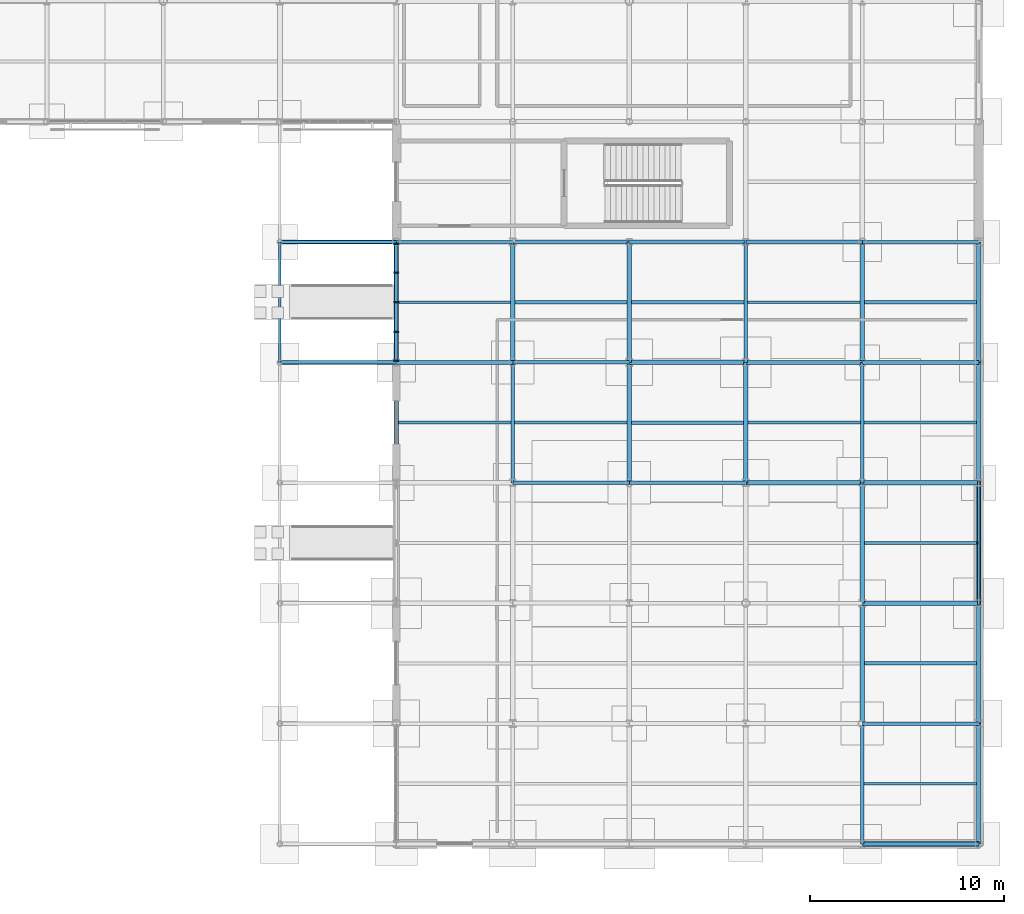
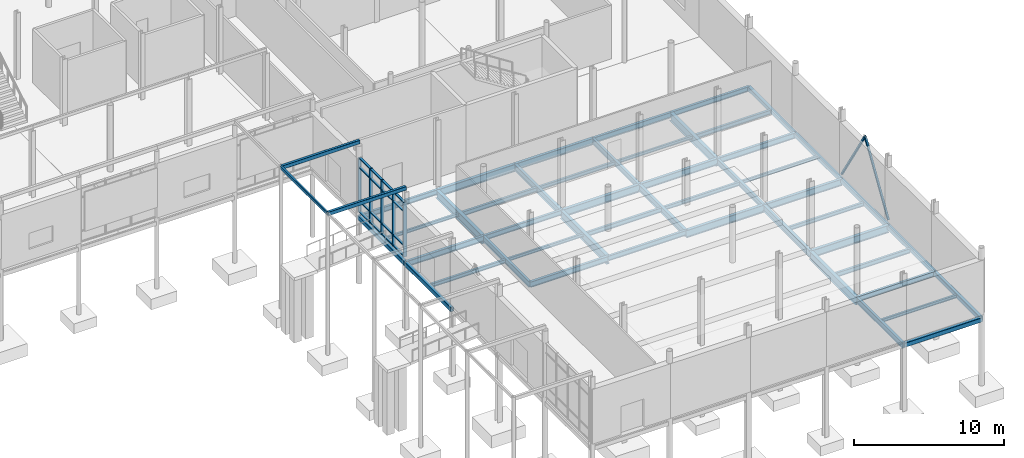
# One storey, part 50 of 98: 51 beams, 23 members, 1 element without a shape of its own.
"""IFC4 building model written with IfcOpenShell, lengths in metres."""

from ifc_helpers import new_model, si_unit, direction, frame, origin, origin_2d, place, context, subcontext, project, spatial, rectangle, hollow_rectangle, i_section, extrude, material, layer, layer_set, material_profile, profile_set, type_object, element, aggregate, save


model = new_model("IFC4")

# Units and contexts
model_context = context("Model", 3, precision=1e-05, world=origin(), true_north=direction((0.0, 1.0)))
body_context = subcontext(model_context, "Body", "Model", "MODEL_VIEW")
ifc_project = project(units=[si_unit("LENGTHUNIT", "METRE"), si_unit("AREAUNIT", "SQUARE_METRE"), si_unit("VOLUMEUNIT", "CUBIC_METRE"), si_unit("PLANEANGLEUNIT", "RADIAN"), si_unit("MASSUNIT", "GRAM", prefix="KILO")], contexts=[model_context])

# Site, building, storey
site_placement = place(None, origin())
site = spatial("IfcSite", under=ifc_project, at=site_placement, CompositionType="ELEMENT")
building_placement = place(site_placement, origin())
building = spatial("IfcBuilding", under=site, at=building_placement, Name="Mirzam Square Science Centre", CompositionType="ELEMENT")
storey_placement = place(building_placement, origin())
storey = spatial("IfcBuildingStorey", under=building, at=storey_placement, Name="L00", CompositionType="ELEMENT", Elevation=0.0)

# Beams
ifc_material_1 = material(Name="Steel S355", Category="steel")
ifc_material_profile_1 = material_profile(ifc_material_1, i_section(OverallWidth=0.1787109375, OverallDepth=0.409423828125, WebThickness=0.0087890625, FlangeThickness=0.014404296875, FilletRadius=0.01025390625, at=origin_2d()), Name="406x178x67UB")
ifc_profile_set_1 = profile_set([ifc_material_profile_1], Name="Steel S355")
beam_type_1 = type_object("IfcBeamType", Name="BM-UB406", PredefinedType="BEAM", material=ifc_profile_set_1)
for number, where, z_axis, x_axis, name in (
    (1, (156.0, 6.199951171875, -0.504638671875), (1.0, 0.0, 0.0), (0.0, 1.0, 0.0), "L00 girder X27-2"),
    (2, (144.0, 18.60009765625, -0.504638671875), (1.0, 0.0, 0.0), (0.0, 1.0, 0.0), "L00 girder X25-4"),
    (3, (138.0, 24.800048828125, -0.504638671875), (1.0, 0.0, 0.0), (0.0, 1.0, 0.0), "L00 girder X24-5"),
    (4, (132.0, 31.0, -0.504638671875), (1.0, 0.0, 0.0), (0.0, 1.0, 0.0), "L00 girder X23-6"),
    (5, (156.0, 31.0, -0.504638671875), (1.0, 0.0, 0.0), (0.0, 1.0, 0.0), "L00 girder X27-6"),
):
    element("IfcBeam", number, at=place(storey_placement, frame(where, z_axis=z_axis, x_axis=x_axis)), inside=storey, type_object=beam_type_1, Name=name, PredefinedType="BEAM", context=body_context, shape_type="SweptSolid", body=[
        extrude(i_section(OverallWidth=0.1787109375, OverallDepth=0.409423828125, WebThickness=0.0087890625, FlangeThickness=0.014404296875, FilletRadius=0.01025390625, at=origin_2d()), origin(), (0.0, 0.0, 1.0), 6.0),
    ])
ifc_material_profile_2 = material_profile(ifc_material_1, i_section(OverallWidth=0.19140625, OverallDepth=0.4599609375, WebThickness=0.010009765625, FlangeThickness=0.01611328125, FilletRadius=0.01025390625, at=origin_2d()), Name="457x191x82UB")
ifc_profile_set_2 = profile_set([ifc_material_profile_2], Name="Steel S355")
beam_type_2 = type_object("IfcBeamType", Name="BM-UB457", PredefinedType="BEAM", material=ifc_profile_set_2)
for number, where, z_axis, x_axis, name in (
    (6, (138.0, 18.60009765625, -0.530029296875), (1.0, 0.0, 0.0), (0.0, 1.0, 0.0), "L00 girder X24-4"),
    (7, (132.0, 24.800048828125, -0.530029296875), (1.0, 0.0, 0.0), (0.0, 1.0, 0.0), "L00 girder X23-5"),
    (8, (156.0, 24.800048828125, -0.530029296875), (1.0, 0.0, 0.0), (0.0, 1.0, 0.0), "L00 girder X27-5"),
    (9, (150.0, 31.0, -0.530029296875), (1.0, 0.0, 0.0), (0.0, 1.0, 0.0), "L00 girder X26-6"),
):
    element("IfcBeam", number, at=place(storey_placement, frame(where, z_axis=z_axis, x_axis=x_axis)), inside=storey, type_object=beam_type_2, Name=name, PredefinedType="BEAM", context=body_context, shape_type="SweptSolid", body=[
        extrude(i_section(OverallWidth=0.19140625, OverallDepth=0.4599609375, WebThickness=0.010009765625, FlangeThickness=0.01611328125, FilletRadius=0.01025390625, at=origin_2d()), origin(), (0.0, 0.0, 1.0), 6.0),
    ])
for number, where, z_axis, x_axis, name in (
    (10, (138.0, 18.60009765625, -0.530029296875), (0.0, 1.0, 0.0), (-1.0, 0.0, 0.0), "L00 girder Y24-4"),
    (11, (150.0, 24.800048828125, -0.530029296875), (0.0, 1.0, 0.0), (-1.0, 0.0, 0.0), "L00 girder Y26-5"),
    (12, (156.0, 0.0, -0.530029296875), (0.0, 1.0, 0.0), (-1.0, 0.0, 0.0), "L00 girder Y27-1"),
    (13, (156.0, 18.60009765625, -0.530029296875), (0.0, 1.0, 0.0), (-1.0, 0.0, 0.0), "L00 girder Y27-4"),
):
    element("IfcBeam", number, at=place(storey_placement, frame(where, z_axis=z_axis, x_axis=x_axis)), inside=storey, type_object=beam_type_2, Name=name, PredefinedType="BEAM", context=body_context, shape_type="SweptSolid", body=[
        extrude(i_section(OverallWidth=0.19140625, OverallDepth=0.4599609375, WebThickness=0.010009765625, FlangeThickness=0.01611328125, FilletRadius=0.01025390625, at=origin_2d()), origin(), (0.0, 0.0, 1.0), 6.199951171875),
    ])
ifc_material_profile_3 = material_profile(ifc_material_1, i_section(OverallWidth=0.2099609375, OverallDepth=0.53662109375, WebThickness=0.0107421875, FlangeThickness=0.017333984375, FilletRadius=0.0126953125, at=origin_2d()), Name="533x210x101UB")
ifc_profile_set_3 = profile_set([ifc_material_profile_3], Name="Steel S355")
beam_type_3 = type_object("IfcBeamType", Name="BM-UB533", PredefinedType="BEAM", material=ifc_profile_set_3)
for number, where, z_axis, x_axis, name in (
    (14, (156.0, 18.60009765625, -0.568359375), (1.0, 0.0, 0.0), (0.0, 1.0, 0.0), "L00 girder X27-4"),
    (15, (150.0, 24.800048828125, -0.568359375), (1.0, 0.0, 0.0), (0.0, 1.0, 0.0), "L00 girder X26-5"),
    (16, (144.0, 31.0, -0.568359375), (1.0, 0.0, 0.0), (0.0, 1.0, 0.0), "L00 girder X25-6"),
):
    element("IfcBeam", number, at=place(storey_placement, frame(where, z_axis=z_axis, x_axis=x_axis)), inside=storey, type_object=beam_type_3, Name=name, PredefinedType="BEAM", context=body_context, shape_type="SweptSolid", body=[
        extrude(i_section(OverallWidth=0.2099609375, OverallDepth=0.53662109375, WebThickness=0.0107421875, FlangeThickness=0.017333984375, FilletRadius=0.0126953125, at=origin_2d()), origin(), (0.0, 0.0, 1.0), 6.0),
    ])
for number, where, z_axis, x_axis, name in (
    (17, (144.0, 24.800048828125, -0.568359375), (0.0, 1.0, 0.0), (-1.0, 0.0, 0.0), "L00 girder Y25-5"),
    (18, (150.0, 18.60009765625, -0.568359375), (0.0, 1.0, 0.0), (-1.0, 0.0, 0.0), "L00 girder Y26-4"),
):
    element("IfcBeam", number, at=place(storey_placement, frame(where, z_axis=z_axis, x_axis=x_axis)), inside=storey, type_object=beam_type_3, Name=name, PredefinedType="BEAM", context=body_context, shape_type="SweptSolid", body=[
        extrude(i_section(OverallWidth=0.2099609375, OverallDepth=0.53662109375, WebThickness=0.0107421875, FlangeThickness=0.017333984375, FilletRadius=0.0126953125, at=origin_2d()), origin(), (0.0, 0.0, 1.0), 6.199951171875),
    ])
beam_1_placement = place(storey_placement, frame((156.0, 12.39990234375, -0.568359375), z_axis=(0.0, 1.0, 0.0), x_axis=(-1.0, 0.0, 0.0)))
element("IfcBeam", 19, at=beam_1_placement, inside=storey, type_object=beam_type_3, Name="L00 girder Y27-3", PredefinedType="BEAM", context=body_context, shape_type="SweptSolid", body=[
    extrude(i_section(OverallWidth=0.2099609375, OverallDepth=0.53662109375, WebThickness=0.0107421875, FlangeThickness=0.017333984375, FilletRadius=0.0126953125, at=origin_2d()), origin(), (0.0, 0.0, 1.0), 6.2001953125),
])
ifc_material_profile_4 = material_profile(ifc_material_1, i_section(OverallWidth=0.22900390625, OverallDepth=0.6123046875, WebThickness=0.011962890625, FlangeThickness=0.01953125, FilletRadius=0.0126953125, at=origin_2d()), Name="610x229x125UB")
ifc_profile_set_4 = profile_set([ifc_material_profile_4], Name="Steel S355")
beam_type_4 = type_object("IfcBeamType", Name="BM-UB610", PredefinedType="BEAM", material=ifc_profile_set_4)
for number, where, z_axis, x_axis, name in (
    (20, (156.0, 12.39990234375, -0.606201171875), (1.0, 0.0, 0.0), (0.0, 1.0, 0.0), "L00 girder X27-3"),
    (21, (150.0, 18.60009765625, -0.606201171875), (1.0, 0.0, 0.0), (0.0, 1.0, 0.0), "L00 girder X26-4"),
    (22, (144.0, 24.800048828125, -0.606201171875), (1.0, 0.0, 0.0), (0.0, 1.0, 0.0), "L00 girder X25-5"),
    (23, (138.0, 31.0, -0.606201171875), (1.0, 0.0, 0.0), (0.0, 1.0, 0.0), "L00 girder X24-6"),
):
    element("IfcBeam", number, at=place(storey_placement, frame(where, z_axis=z_axis, x_axis=x_axis)), inside=storey, type_object=beam_type_4, Name=name, PredefinedType="BEAM", context=body_context, shape_type="SweptSolid", body=[
        extrude(i_section(OverallWidth=0.22900390625, OverallDepth=0.6123046875, WebThickness=0.011962890625, FlangeThickness=0.01953125, FilletRadius=0.0126953125, at=origin_2d()), origin(), (0.0, 0.0, 1.0), 6.0),
    ])
ifc_material_profile_5 = material_profile(ifc_material_1, i_section(OverallWidth=0.25439453125, OverallDepth=0.6875, WebThickness=0.01318359375, FlangeThickness=0.02099609375, FilletRadius=0.01513671875, at=origin_2d()), Name="686x254x152UB")
ifc_profile_set_5 = profile_set([ifc_material_profile_5], Name="Steel S355")
beam_type_5 = type_object("IfcBeamType", Name="BM-UB686", PredefinedType="BEAM", material=ifc_profile_set_5)
for number, where, z_axis, x_axis, name in (
    (24, (138.0, 24.800048828125, -0.643798828125), (0.0, 1.0, 0.0), (-1.0, 0.0, 0.0), "L00 girder Y24-5"),
    (25, (144.0, 18.60009765625, -0.643798828125), (0.0, 1.0, 0.0), (-1.0, 0.0, 0.0), "L00 girder Y25-4"),
    (26, (156.0, 6.199951171875, -0.643798828125), (0.0, 1.0, 0.0), (-1.0, 0.0, 0.0), "L00 girder Y27-2"),
    (27, (156.0, 24.800048828125, -0.643798828125), (0.0, 1.0, 0.0), (-1.0, 0.0, 0.0), "L00 girder Y27-5"),
):
    element("IfcBeam", number, at=place(storey_placement, frame(where, z_axis=z_axis, x_axis=x_axis)), inside=storey, type_object=beam_type_5, Name=name, PredefinedType="BEAM", context=body_context, shape_type="SweptSolid", body=[
        extrude(i_section(OverallWidth=0.25439453125, OverallDepth=0.6875, WebThickness=0.01318359375, FlangeThickness=0.02099609375, FilletRadius=0.01513671875, at=origin_2d()), origin(), (0.0, 0.0, 1.0), 6.199951171875),
    ])

# Members
ifc_material_profile_6 = material_profile(ifc_material_1, hollow_rectangle(XDim=0.14990234375, YDim=0.14990234375, WallThickness=0.008056640625, InnerFilletRadius=0.008056640625, OuterFilletRadius=0.01611328125, at=origin_2d()), Name="150x150x8.0SHS")
ifc_profile_set_6 = profile_set([ifc_material_profile_6], Name="Steel S355")
member_type_1 = type_object("IfcMemberType", Name="BR-SHS150", PredefinedType="BRACE", material=ifc_profile_set_6)
for number, where, z_axis, x_axis, name in (
    (28, (162.0, 12.39990234375, 0.050048828125), (0.0, 0.532707561114, 0.84629938812), (-1.0, 0.0, 0.0), "L00 chevron brace 7A"),
    (29, (162.0, 18.60009765625, 0.050048828125), (0.0, -0.532707561114, 0.84629938812), (1.0, 0.0, 0.0), "L00 chevron brace 7B"),
):
    element("IfcMember", number, at=place(storey_placement, frame(where, z_axis=z_axis, x_axis=x_axis)), inside=storey, type_object=member_type_1, Name=name, PredefinedType="BRACE", context=body_context, shape_type="SweptSolid", body=[
        extrude(hollow_rectangle(XDim=0.14990234375, YDim=0.14990234375, WallThickness=0.008056640625, InnerFilletRadius=0.008056640625, OuterFilletRadius=0.01611328125, at=origin_2d()), origin(), (0.0, 0.0, 1.0), 5.819580078125),
    ])

# Curtain wall, members
ifc_material_2 = material(Name="Anodised Aluminium and Low-E Solar Glass", Category="aluminium")
ifc_layer = layer(ifc_material_2, 0.179931640625)
ifc_layer_set = layer_set([ifc_layer], Name="CW-PARK-A")
curtain_wall_type = type_object("IfcCurtainWallType", Name="CW-PARK-A", PredefinedType="USERDEFINED", material=ifc_layer_set)
curtain_wall_placement = place(storey_placement, origin())
curtain_wall = element("IfcCurtainWall", 30, at=curtain_wall_placement, inside=storey, type_object=curtain_wall_type, Name="L00 unitised curtain wall 59", ObjectType="UNITISED CURTAIN WALL", PredefinedType="USERDEFINED")
ifc_material_3 = material(Name="Anodised Architectural Aluminium 6063-T6", Category="aluminium")
ifc_material_profile_7 = material_profile(ifc_material_3, rectangle(XDim=0.074951171875, YDim=0.239990234375, at=origin_2d()), Name="ALU-MULL-240x75x5")
ifc_profile_set_7 = profile_set([ifc_material_profile_7], Name="Anodised Architectural Aluminium 6063-T6")
member_type_2 = type_object("IfcMemberType", Name="CWM-240", PredefinedType="MULLION", material=ifc_profile_set_7)
member_1_placement = place(storey_placement, frame((132.0, 30.907470703125, 0.0), z_axis=(0.0, 0.0, 1.0), x_axis=(0.0, -1.0, 0.0)))
member_1 = element("IfcMember", 31, at=member_1_placement, type_object=member_type_2, Name="CW-01 mullion 1", PredefinedType="MULLION", context=body_context, shape_type="SweptSolid", body=[
    extrude(rectangle(XDim=0.074951171875, YDim=0.239990234375, at=origin_2d()), origin(), (0.0, 0.0, 1.0), 4.43994140625),
])
member_2_placement = place(storey_placement, frame((132.0, 29.422607421875, 0.0), z_axis=(0.0, 0.0, 1.0), x_axis=(0.0, -1.0, 0.0)))
member_2 = element("IfcMember", 32, at=member_2_placement, type_object=member_type_2, Name="CW-01 mullion 2", PredefinedType="MULLION", context=body_context, shape_type="SweptSolid", body=[
    extrude(rectangle(XDim=0.074951171875, YDim=0.239990234375, at=origin_2d()), origin(), (0.0, 0.0, 1.0), 4.43994140625),
])
member_3_placement = place(storey_placement, frame((132.0, 27.89990234375, 0.0), z_axis=(0.0, 0.0, 1.0), x_axis=(0.0, -1.0, 0.0)))
member_3 = element("IfcMember", 33, at=member_3_placement, type_object=member_type_2, Name="CW-01 mullion 3", PredefinedType="MULLION", context=body_context, shape_type="SweptSolid", body=[
    extrude(rectangle(XDim=0.074951171875, YDim=0.239990234375, at=origin_2d()), origin(), (0.0, 0.0, 1.0), 4.43994140625),
])
member_4_placement = place(storey_placement, frame((132.0, 26.37744140625, 0.0), z_axis=(0.0, 0.0, 1.0), x_axis=(0.0, -1.0, 0.0)))
member_4 = element("IfcMember", 34, at=member_4_placement, type_object=member_type_2, Name="CW-01 mullion 4", PredefinedType="MULLION", context=body_context, shape_type="SweptSolid", body=[
    extrude(rectangle(XDim=0.074951171875, YDim=0.239990234375, at=origin_2d()), origin(), (0.0, 0.0, 1.0), 4.43994140625),
])
member_5_placement = place(storey_placement, frame((132.0, 24.892578125, 0.0), z_axis=(0.0, 0.0, 1.0), x_axis=(0.0, -1.0, 0.0)))
member_5 = element("IfcMember", 35, at=member_5_placement, type_object=member_type_2, Name="CW-01 mullion 5", PredefinedType="MULLION", context=body_context, shape_type="SweptSolid", body=[
    extrude(rectangle(XDim=0.074951171875, YDim=0.239990234375, at=origin_2d()), origin(), (0.0, 0.0, 1.0), 4.43994140625),
])
ifc_material_profile_8 = material_profile(ifc_material_3, rectangle(XDim=0.179931640625, YDim=0.074951171875, at=origin_2d()), Name="ALU-TRAN-180x75x5")
ifc_profile_set_8 = profile_set([ifc_material_profile_8], Name="Anodised Architectural Aluminium 6063-T6")
member_type_3 = type_object("IfcMemberType", Name="CWT-180", PredefinedType="USERDEFINED", material=ifc_profile_set_8)
member_6_placement = place(storey_placement, frame((132.0, 30.8701171875, 0.03759765625), z_axis=(0.0, -1.0, 0.0), x_axis=(1.0, 0.0, 0.0)))
member_6 = element("IfcMember", 36, at=member_6_placement, type_object=member_type_3, Name="CW-01 transom 1.1", ObjectType="TRANSOM", PredefinedType="USERDEFINED", context=body_context, shape_type="SweptSolid", body=[
    extrude(rectangle(XDim=0.179931640625, YDim=0.074951171875, at=origin_2d()), origin(), (0.0, 0.0, 1.0), 1.41015625),
])
member_7_placement = place(storey_placement, frame((132.0, 30.8701171875, 0.89990234375), z_axis=(0.0, -1.0, 0.0), x_axis=(1.0, 0.0, 0.0)))
member_7 = element("IfcMember", 37, at=member_7_placement, type_object=member_type_3, Name="CW-01 transom 1.2", ObjectType="TRANSOM", PredefinedType="USERDEFINED", context=body_context, shape_type="SweptSolid", body=[
    extrude(rectangle(XDim=0.179931640625, YDim=0.074951171875, at=origin_2d()), origin(), (0.0, 0.0, 1.0), 1.41015625),
])
member_8_placement = place(storey_placement, frame((132.0, 30.8701171875, 3.639892578125), z_axis=(0.0, -1.0, 0.0), x_axis=(1.0, 0.0, 0.0)))
member_8 = element("IfcMember", 38, at=member_8_placement, type_object=member_type_3, Name="CW-01 transom 1.3", ObjectType="TRANSOM", PredefinedType="USERDEFINED", context=body_context, shape_type="SweptSolid", body=[
    extrude(rectangle(XDim=0.179931640625, YDim=0.074951171875, at=origin_2d()), origin(), (0.0, 0.0, 1.0), 1.41015625),
])
member_9_placement = place(storey_placement, frame((132.0, 30.8701171875, 4.402587890625), z_axis=(0.0, -1.0, 0.0), x_axis=(1.0, 0.0, 0.0)))
member_9 = element("IfcMember", 39, at=member_9_placement, type_object=member_type_3, Name="CW-01 transom 1.4", ObjectType="TRANSOM", PredefinedType="USERDEFINED", context=body_context, shape_type="SweptSolid", body=[
    extrude(rectangle(XDim=0.179931640625, YDim=0.074951171875, at=origin_2d()), origin(), (0.0, 0.0, 1.0), 1.41015625),
])
member_10_placement = place(storey_placement, frame((132.0, 29.385009765625, 0.03759765625), z_axis=(0.0, -1.0, 0.0), x_axis=(1.0, 0.0, 0.0)))
member_10 = element("IfcMember", 40, at=member_10_placement, type_object=member_type_3, Name="CW-01 transom 2.1", ObjectType="TRANSOM", PredefinedType="USERDEFINED", context=body_context, shape_type="SweptSolid", body=[
    extrude(rectangle(XDim=0.179931640625, YDim=0.074951171875, at=origin_2d()), origin(), (0.0, 0.0, 1.0), 1.447509765625),
])
member_11_placement = place(storey_placement, frame((132.0, 29.385009765625, 0.89990234375), z_axis=(0.0, -1.0, 0.0), x_axis=(1.0, 0.0, 0.0)))
member_11 = element("IfcMember", 41, at=member_11_placement, type_object=member_type_3, Name="CW-01 transom 2.2", ObjectType="TRANSOM", PredefinedType="USERDEFINED", context=body_context, shape_type="SweptSolid", body=[
    extrude(rectangle(XDim=0.179931640625, YDim=0.074951171875, at=origin_2d()), origin(), (0.0, 0.0, 1.0), 1.447509765625),
])
member_12_placement = place(storey_placement, frame((132.0, 29.385009765625, 3.639892578125), z_axis=(0.0, -1.0, 0.0), x_axis=(1.0, 0.0, 0.0)))
member_12 = element("IfcMember", 42, at=member_12_placement, type_object=member_type_3, Name="CW-01 transom 2.3", ObjectType="TRANSOM", PredefinedType="USERDEFINED", context=body_context, shape_type="SweptSolid", body=[
    extrude(rectangle(XDim=0.179931640625, YDim=0.074951171875, at=origin_2d()), origin(), (0.0, 0.0, 1.0), 1.447509765625),
])
member_13_placement = place(storey_placement, frame((132.0, 29.385009765625, 4.402587890625), z_axis=(0.0, -1.0, 0.0), x_axis=(1.0, 0.0, 0.0)))
member_13 = element("IfcMember", 43, at=member_13_placement, type_object=member_type_3, Name="CW-01 transom 2.4", ObjectType="TRANSOM", PredefinedType="USERDEFINED", context=body_context, shape_type="SweptSolid", body=[
    extrude(rectangle(XDim=0.179931640625, YDim=0.074951171875, at=origin_2d()), origin(), (0.0, 0.0, 1.0), 1.447509765625),
])
member_14_placement = place(storey_placement, frame((132.0, 27.862548828125, 0.03759765625), z_axis=(0.0, -1.0, 0.0), x_axis=(1.0, 0.0, 0.0)))
member_14 = element("IfcMember", 44, at=member_14_placement, type_object=member_type_3, Name="CW-01 transom 3.1", ObjectType="TRANSOM", PredefinedType="USERDEFINED", context=body_context, shape_type="SweptSolid", body=[
    extrude(rectangle(XDim=0.179931640625, YDim=0.074951171875, at=origin_2d()), origin(), (0.0, 0.0, 1.0), 1.447509765625),
])
member_15_placement = place(storey_placement, frame((132.0, 27.862548828125, 0.89990234375), z_axis=(0.0, -1.0, 0.0), x_axis=(1.0, 0.0, 0.0)))
member_15 = element("IfcMember", 45, at=member_15_placement, type_object=member_type_3, Name="CW-01 transom 3.2", ObjectType="TRANSOM", PredefinedType="USERDEFINED", context=body_context, shape_type="SweptSolid", body=[
    extrude(rectangle(XDim=0.179931640625, YDim=0.074951171875, at=origin_2d()), origin(), (0.0, 0.0, 1.0), 1.447509765625),
])
member_16_placement = place(storey_placement, frame((132.0, 27.862548828125, 3.639892578125), z_axis=(0.0, -1.0, 0.0), x_axis=(1.0, 0.0, 0.0)))
member_16 = element("IfcMember", 46, at=member_16_placement, type_object=member_type_3, Name="CW-01 transom 3.3", ObjectType="TRANSOM", PredefinedType="USERDEFINED", context=body_context, shape_type="SweptSolid", body=[
    extrude(rectangle(XDim=0.179931640625, YDim=0.074951171875, at=origin_2d()), origin(), (0.0, 0.0, 1.0), 1.447509765625),
])
member_17_placement = place(storey_placement, frame((132.0, 27.862548828125, 4.402587890625), z_axis=(0.0, -1.0, 0.0), x_axis=(1.0, 0.0, 0.0)))
member_17 = element("IfcMember", 47, at=member_17_placement, type_object=member_type_3, Name="CW-01 transom 3.4", ObjectType="TRANSOM", PredefinedType="USERDEFINED", context=body_context, shape_type="SweptSolid", body=[
    extrude(rectangle(XDim=0.179931640625, YDim=0.074951171875, at=origin_2d()), origin(), (0.0, 0.0, 1.0), 1.447509765625),
])
member_18_placement = place(storey_placement, frame((132.0, 26.340087890625, 0.03759765625), z_axis=(0.0, -1.0, 0.0), x_axis=(1.0, 0.0, 0.0)))
member_18 = element("IfcMember", 48, at=member_18_placement, type_object=member_type_3, Name="CW-01 transom 4.1", ObjectType="TRANSOM", PredefinedType="USERDEFINED", context=body_context, shape_type="SweptSolid", body=[
    extrude(rectangle(XDim=0.179931640625, YDim=0.074951171875, at=origin_2d()), origin(), (0.0, 0.0, 1.0), 1.41015625),
])
member_19_placement = place(storey_placement, frame((132.0, 26.340087890625, 0.89990234375), z_axis=(0.0, -1.0, 0.0), x_axis=(1.0, 0.0, 0.0)))
member_19 = element("IfcMember", 49, at=member_19_placement, type_object=member_type_3, Name="CW-01 transom 4.2", ObjectType="TRANSOM", PredefinedType="USERDEFINED", context=body_context, shape_type="SweptSolid", body=[
    extrude(rectangle(XDim=0.179931640625, YDim=0.074951171875, at=origin_2d()), origin(), (0.0, 0.0, 1.0), 1.41015625),
])
member_20_placement = place(storey_placement, frame((132.0, 26.340087890625, 3.639892578125), z_axis=(0.0, -1.0, 0.0), x_axis=(1.0, 0.0, 0.0)))
member_20 = element("IfcMember", 50, at=member_20_placement, type_object=member_type_3, Name="CW-01 transom 4.3", ObjectType="TRANSOM", PredefinedType="USERDEFINED", context=body_context, shape_type="SweptSolid", body=[
    extrude(rectangle(XDim=0.179931640625, YDim=0.074951171875, at=origin_2d()), origin(), (0.0, 0.0, 1.0), 1.41015625),
])
member_21_placement = place(storey_placement, frame((132.0, 26.340087890625, 4.402587890625), z_axis=(0.0, -1.0, 0.0), x_axis=(1.0, 0.0, 0.0)))
member_21 = element("IfcMember", 51, at=member_21_placement, type_object=member_type_3, Name="CW-01 transom 4.4", ObjectType="TRANSOM", PredefinedType="USERDEFINED", context=body_context, shape_type="SweptSolid", body=[
    extrude(rectangle(XDim=0.179931640625, YDim=0.074951171875, at=origin_2d()), origin(), (0.0, 0.0, 1.0), 1.41015625),
])
aggregate(curtain_wall, [member_1, member_2, member_3, member_4, member_5, member_6, member_7, member_8, member_9, member_10, member_11, member_12, member_13, member_14, member_15, member_16, member_17, member_18, member_19, member_20, member_21])

# Beams
ifc_material_profile_9 = material_profile(ifc_material_1, i_section(OverallWidth=0.146484375, OverallDepth=0.256103515625, WebThickness=0.00634765625, FlangeThickness=0.010986328125, FilletRadius=0.007568359375, at=origin_2d()), Name="254x146x37UB")
ifc_profile_set_9 = profile_set([ifc_material_profile_9], Name="Steel S355")
beam_type_6 = type_object("IfcBeamType", Name="JS-UB254", PredefinedType="JOIST", material=ifc_profile_set_9)
beam_2_placement = place(storey_placement, frame((132.125, 27.89990234375, -0.427978515625), z_axis=(1.0, 0.0, 0.0), x_axis=(0.0, 1.0, 0.0)))
element("IfcBeam", 52, at=beam_2_placement, inside=storey, type_object=beam_type_6, Name="L00 composite joist 23-5", PredefinedType="JOIST", context=body_context, shape_type="SweptSolid", body=[
    extrude(i_section(OverallWidth=0.146484375, OverallDepth=0.256103515625, WebThickness=0.00634765625, FlangeThickness=0.010986328125, FilletRadius=0.007568359375, at=origin_2d()), origin(), (0.0, 0.0, 1.0), 5.747802734375),
])
for number, where, z_axis, x_axis, name in (
    (53, (138.095703125, 21.699951171875, -0.427978515625), (1.0, 0.0, 0.0), (0.0, 1.0, 0.0), "L00 composite joist 24-4"),
    (54, (150.095703125, 27.89990234375, -0.427978515625), (1.0, 0.0, 0.0), (0.0, 1.0, 0.0), "L00 composite joist 26-5"),
):
    element("IfcBeam", number, at=place(storey_placement, frame(where, z_axis=z_axis, x_axis=x_axis)), inside=storey, type_object=beam_type_6, Name=name, PredefinedType="JOIST", context=body_context, shape_type="SweptSolid", body=[
        extrude(i_section(OverallWidth=0.146484375, OverallDepth=0.256103515625, WebThickness=0.00634765625, FlangeThickness=0.010986328125, FilletRadius=0.007568359375, at=origin_2d()), origin(), (0.0, 0.0, 1.0), 5.777099609375),
    ])
for number, where, z_axis, x_axis, name in (
    (55, (156.095703125, 3.10009765625, -0.427978515625), (1.0, 0.0, 0.0), (0.0, 1.0, 0.0), "L00 composite joist 27-1"),
    (56, (156.095703125, 21.699951171875, -0.427978515625), (1.0, 0.0, 0.0), (0.0, 1.0, 0.0), "L00 composite joist 27-4"),
):
    element("IfcBeam", number, at=place(storey_placement, frame(where, z_axis=z_axis, x_axis=x_axis)), inside=storey, type_object=beam_type_6, Name=name, PredefinedType="JOIST", context=body_context, shape_type="SweptSolid", body=[
        extrude(i_section(OverallWidth=0.146484375, OverallDepth=0.256103515625, WebThickness=0.00634765625, FlangeThickness=0.010986328125, FilletRadius=0.007568359375, at=origin_2d()), origin(), (0.0, 0.0, 1.0), 5.779296875),
    ])
ifc_material_profile_10 = material_profile(ifc_material_1, i_section(OverallWidth=0.165771484375, OverallDepth=0.306640625, WebThickness=0.006591796875, FlangeThickness=0.01171875, FilletRadius=0.0087890625, at=origin_2d()), Name="305x165x46UB")
ifc_profile_set_10 = profile_set([ifc_material_profile_10], Name="Steel S355")
beam_type_7 = type_object("IfcBeamType", Name="JS-UB305", PredefinedType="JOIST", material=ifc_profile_set_10)
beam_3_placement = place(storey_placement, frame((132.125, 21.699951171875, -0.453369140625), z_axis=(1.0, 0.0, 0.0), x_axis=(0.0, 1.0, 0.0)))
element("IfcBeam", 57, at=beam_3_placement, inside=storey, type_object=beam_type_7, Name="L00 composite joist 23-4", PredefinedType="JOIST", context=body_context, shape_type="SweptSolid", body=[
    extrude(i_section(OverallWidth=0.165771484375, OverallDepth=0.306640625, WebThickness=0.006591796875, FlangeThickness=0.01171875, FilletRadius=0.0087890625, at=origin_2d()), origin(), (0.0, 0.0, 1.0), 5.779296875),
])
for number, where, z_axis, x_axis, name in (
    (58, (144.10498046875, 27.89990234375, -0.453369140625), (1.0, 0.0, 0.0), (0.0, 1.0, 0.0), "L00 composite joist 25-5"),
    (59, (150.10498046875, 21.699951171875, -0.453369140625), (1.0, 0.0, 0.0), (0.0, 1.0, 0.0), "L00 composite joist 26-4"),
):
    element("IfcBeam", number, at=place(storey_placement, frame(where, z_axis=z_axis, x_axis=x_axis)), inside=storey, type_object=beam_type_7, Name=name, PredefinedType="JOIST", context=body_context, shape_type="SweptSolid", body=[
        extrude(i_section(OverallWidth=0.165771484375, OverallDepth=0.306640625, WebThickness=0.006591796875, FlangeThickness=0.01171875, FilletRadius=0.0087890625, at=origin_2d()), origin(), (0.0, 0.0, 1.0), 5.79931640625),
    ])
beam_4_placement = place(storey_placement, frame((156.10498046875, 15.5, -0.453369140625), z_axis=(1.0, 0.0, 0.0), x_axis=(0.0, 1.0, 0.0)))
element("IfcBeam", 60, at=beam_4_placement, inside=storey, type_object=beam_type_7, Name="L00 composite joist 27-3", PredefinedType="JOIST", context=body_context, shape_type="SweptSolid", body=[
    extrude(i_section(OverallWidth=0.165771484375, OverallDepth=0.306640625, WebThickness=0.006591796875, FlangeThickness=0.01171875, FilletRadius=0.0087890625, at=origin_2d()), origin(), (0.0, 0.0, 1.0), 5.77001953125),
])
ifc_material_profile_11 = material_profile(ifc_material_1, i_section(OverallWidth=0.172119140625, OverallDepth=0.35791015625, WebThickness=0.008056640625, FlangeThickness=0.012939453125, FilletRadius=0.01025390625, at=origin_2d()), Name="356x171x57UB")
ifc_profile_set_11 = profile_set([ifc_material_profile_11], Name="Steel S355")
beam_type_8 = type_object("IfcBeamType", Name="JS-UB356", PredefinedType="JOIST", material=ifc_profile_set_11)
for number, where, z_axis, x_axis, name in (
    (61, (138.127197265625, 27.89990234375, -0.47900390625), (1.0, 0.0, 0.0), (0.0, 1.0, 0.0), "L00 composite joist 24-5"),
    (62, (144.127197265625, 21.699951171875, -0.47900390625), (1.0, 0.0, 0.0), (0.0, 1.0, 0.0), "L00 composite joist 25-4"),
):
    element("IfcBeam", number, at=place(storey_placement, frame(where, z_axis=z_axis, x_axis=x_axis)), inside=storey, type_object=beam_type_8, Name=name, PredefinedType="JOIST", context=body_context, shape_type="SweptSolid", body=[
        extrude(i_section(OverallWidth=0.172119140625, OverallDepth=0.35791015625, WebThickness=0.008056640625, FlangeThickness=0.012939453125, FilletRadius=0.01025390625, at=origin_2d()), origin(), (0.0, 0.0, 1.0), 5.767822265625),
    ])
for number, where, z_axis, x_axis, name in (
    (63, (156.127197265625, 9.300048828125, -0.47900390625), (1.0, 0.0, 0.0), (0.0, 1.0, 0.0), "L00 composite joist 27-2"),
    (64, (156.127197265625, 27.89990234375, -0.47900390625), (1.0, 0.0, 0.0), (0.0, 1.0, 0.0), "L00 composite joist 27-5"),
):
    element("IfcBeam", number, at=place(storey_placement, frame(where, z_axis=z_axis, x_axis=x_axis)), inside=storey, type_object=beam_type_8, Name=name, PredefinedType="JOIST", context=body_context, shape_type="SweptSolid", body=[
        extrude(i_section(OverallWidth=0.172119140625, OverallDepth=0.35791015625, WebThickness=0.008056640625, FlangeThickness=0.012939453125, FilletRadius=0.01025390625, at=origin_2d()), origin(), (0.0, 0.0, 1.0), 5.747802734375),
    ])
ifc_material_profile_12 = material_profile(ifc_material_1, hollow_rectangle(XDim=0.14990234375, YDim=0.25, WallThickness=0.010009765625, InnerFilletRadius=0.010009765625, OuterFilletRadius=0.02001953125, at=origin_2d()), Name="250x150x10.0RHS")
ifc_profile_set_12 = profile_set([ifc_material_profile_12], Name="Steel S355")
beam_type_9 = type_object("IfcBeamType", Name="SP-RHS250", PredefinedType="SPANDREL", material=ifc_profile_set_12)
beam_5_placement = place(storey_placement, frame((126.0, 24.800048828125, 5.669921875), z_axis=(0.0, 1.0, 0.0), x_axis=(-1.0, 0.0, 0.0)))
element("IfcBeam", 65, at=beam_5_placement, inside=storey, type_object=beam_type_9, Name="EARC colonnade longitudinal beam 5", PredefinedType="SPANDREL", context=body_context, shape_type="SweptSolid", body=[
    extrude(hollow_rectangle(XDim=0.14990234375, YDim=0.25, WallThickness=0.010009765625, InnerFilletRadius=0.010009765625, OuterFilletRadius=0.02001953125, at=origin_2d()), origin(), (0.0, 0.0, 1.0), 6.199951171875),
])
ifc_material_profile_13 = material_profile(ifc_material_1, hollow_rectangle(XDim=0.199951171875, YDim=0.300048828125, WallThickness=0.010009765625, InnerFilletRadius=0.010009765625, OuterFilletRadius=0.02001953125, at=origin_2d()), Name="300x200x10.0RHS")
ifc_profile_set_13 = profile_set([ifc_material_profile_13], Name="Steel S355")
beam_type_10 = type_object("IfcBeamType", Name="SP-RHS300", PredefinedType="SPANDREL", material=ifc_profile_set_13)
for number, where, z_axis, x_axis, name in (
    (66, (126.0, 24.800048828125, 5.669921875), (1.0, 0.0, 0.0), (0.0, 1.0, 0.0), "EARC colonnade beam 5"),
    (67, (126.0, 31.0, 5.669921875), (1.0, 0.0, 0.0), (0.0, 1.0, 0.0), "EARC colonnade beam 6"),
):
    element("IfcBeam", number, at=place(storey_placement, frame(where, z_axis=z_axis, x_axis=x_axis)), inside=storey, type_object=beam_type_10, Name=name, PredefinedType="SPANDREL", context=body_context, shape_type="SweptSolid", body=[
        extrude(hollow_rectangle(XDim=0.199951171875, YDim=0.300048828125, WallThickness=0.010009765625, InnerFilletRadius=0.010009765625, OuterFilletRadius=0.02001953125, at=origin_2d()), origin(), (0.0, 0.0, 1.0), 6.0),
    ])
ifc_material_profile_14 = material_profile(ifc_material_1, hollow_rectangle(XDim=0.25, YDim=0.35009765625, WallThickness=0.012451171875, InnerFilletRadius=0.012451171875, OuterFilletRadius=0.02490234375, at=origin_2d()), Name="350x250x12.5RHS")
ifc_profile_set_14 = profile_set([ifc_material_profile_14], Name="Steel S355")
beam_type_11 = type_object("IfcBeamType", Name="SP-RHS350", PredefinedType="SPANDREL", material=ifc_profile_set_14)
beam_6_placement = place(storey_placement, frame((156.0, 0.0, -0.47509765625), z_axis=(1.0, 0.0, 0.0), x_axis=(0.0, 1.0, 0.0)))
element("IfcBeam", 68, at=beam_6_placement, inside=storey, type_object=beam_type_11, Name="L00 girder X27-1", PredefinedType="SPANDREL", context=body_context, shape_type="SweptSolid", body=[
    extrude(hollow_rectangle(XDim=0.25, YDim=0.35009765625, WallThickness=0.012451171875, InnerFilletRadius=0.012451171875, OuterFilletRadius=0.02490234375, at=origin_2d()), origin(), (0.0, 0.0, 1.0), 6.0),
])
for number, where, z_axis, x_axis, name in (
    (69, (132.0, 18.60009765625, -0.47509765625), (0.0, 1.0, 0.0), (-1.0, 0.0, 0.0), "L00 girder Y23-4"),
    (70, (132.0, 24.800048828125, -0.47509765625), (0.0, 1.0, 0.0), (-1.0, 0.0, 0.0), "L00 girder Y23-5"),
    (71, (162.0, 0.0, -0.47509765625), (0.0, 1.0, 0.0), (-1.0, 0.0, 0.0), "L00 girder Y28-1"),
    (72, (162.0, 6.199951171875, -0.47509765625), (0.0, 1.0, 0.0), (-1.0, 0.0, 0.0), "L00 girder Y28-2"),
):
    element("IfcBeam", number, at=place(storey_placement, frame(where, z_axis=z_axis, x_axis=x_axis)), inside=storey, type_object=beam_type_11, Name=name, PredefinedType="SPANDREL", context=body_context, shape_type="SweptSolid", body=[
        extrude(hollow_rectangle(XDim=0.25, YDim=0.35009765625, WallThickness=0.012451171875, InnerFilletRadius=0.012451171875, OuterFilletRadius=0.02490234375, at=origin_2d()), origin(), (0.0, 0.0, 1.0), 6.199951171875),
    ])
beam_7_placement = place(storey_placement, frame((162.0, 12.39990234375, -0.47509765625), z_axis=(0.0, 1.0, 0.0), x_axis=(-1.0, 0.0, 0.0)))
element("IfcBeam", 73, at=beam_7_placement, inside=storey, type_object=beam_type_11, Name="L00 girder Y28-3", PredefinedType="SPANDREL", context=body_context, shape_type="SweptSolid", body=[
    extrude(hollow_rectangle(XDim=0.25, YDim=0.35009765625, WallThickness=0.012451171875, InnerFilletRadius=0.012451171875, OuterFilletRadius=0.02490234375, at=origin_2d()), origin(), (0.0, 0.0, 1.0), 6.2001953125),
])
for number, where, z_axis, x_axis, name in (
    (74, (162.0, 18.60009765625, -0.47509765625), (0.0, 1.0, 0.0), (-1.0, 0.0, 0.0), "L00 girder Y28-4"),
    (75, (162.0, 24.800048828125, -0.47509765625), (0.0, 1.0, 0.0), (-1.0, 0.0, 0.0), "L00 girder Y28-5"),
):
    element("IfcBeam", number, at=place(storey_placement, frame(where, z_axis=z_axis, x_axis=x_axis)), inside=storey, type_object=beam_type_11, Name=name, PredefinedType="SPANDREL", context=body_context, shape_type="SweptSolid", body=[
        extrude(hollow_rectangle(XDim=0.25, YDim=0.35009765625, WallThickness=0.012451171875, InnerFilletRadius=0.012451171875, OuterFilletRadius=0.02490234375, at=origin_2d()), origin(), (0.0, 0.0, 1.0), 6.199951171875),
    ])

save(model, "model.ifc")
